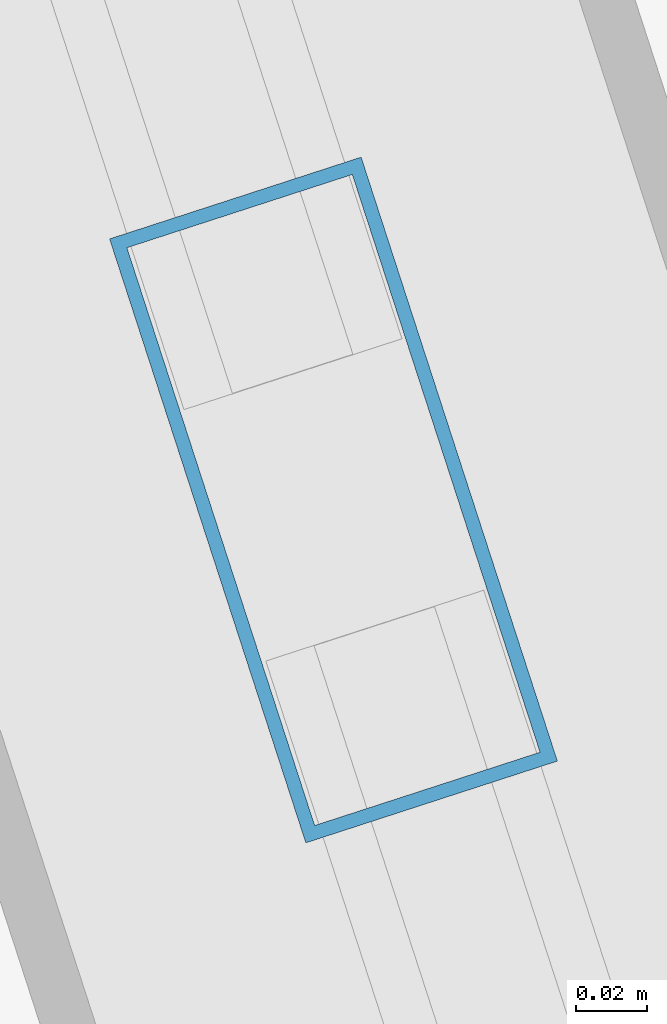
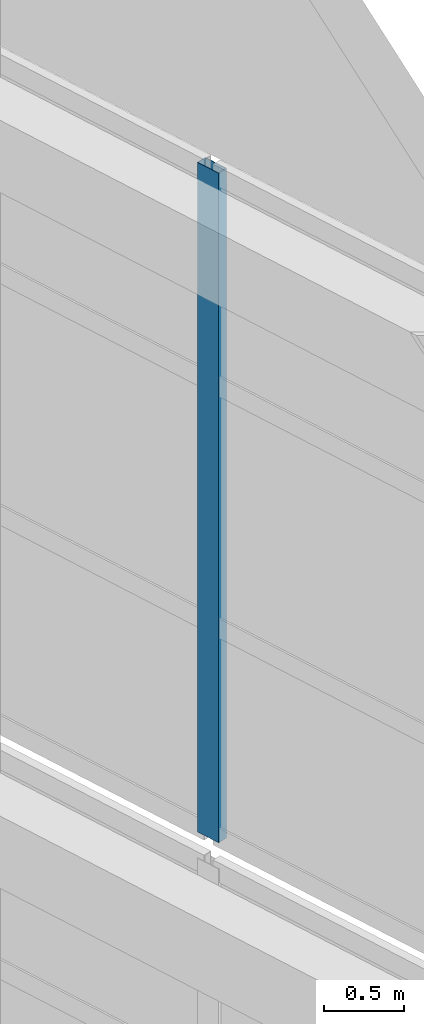
# One storey, part 32 of 56: 1 member, 1 element without a shape of its own.
"""IFC4 building model written with IfcOpenShell, lengths in metres."""

from ifc_helpers import new_model, si_unit, direction, frame, origin, origin_2d, place, context, subcontext, project, spatial, hollow_rectangle, extrude, material, layer, layer_set, material_profile, profile_set, type_object, element, aggregate, save


model = new_model("IFC4")

# Units and contexts
model_context = context("Model", 3, precision=1e-05, world=origin(), true_north=direction((0.0, 1.0)))
body_context = subcontext(model_context, "Body", "Model", "MODEL_VIEW")
ifc_project = project(units=[si_unit("LENGTHUNIT", "METRE"), si_unit("AREAUNIT", "SQUARE_METRE"), si_unit("VOLUMEUNIT", "CUBIC_METRE"), si_unit("PLANEANGLEUNIT", "RADIAN"), si_unit("MASSUNIT", "GRAM", prefix="KILO")], contexts=[model_context])

# Site, building, storey
site_placement = place(None, origin())
site = spatial("IfcSite", under=ifc_project, at=site_placement, CompositionType="ELEMENT")
building_placement = place(site_placement, origin())
building = spatial("IfcBuilding", under=site, at=building_placement, Name="Qiaolan Cultural Towers", CompositionType="ELEMENT")
storey_placement = place(building_placement, frame((0.0, 0.0, 250.39990234375)))
storey = spatial("IfcBuildingStorey", under=building, at=storey_placement, Name="L68", CompositionType="ELEMENT", Elevation=250.39990234375)

# Curtain wall, member
ifc_material_1 = material(Name="Unitized Anodized Aluminium Curtain Wall System", Category="aluminium")
ifc_layer = layer(ifc_material_1, 0.199951171875)
ifc_layer_set = layer_set([ifc_layer], Name="Unitized Anodized Aluminium Curtain Wall System")
curtain_wall_type = type_object("IfcCurtainWallType", Name="CWS-06", PredefinedType="NOTDEFINED", material=ifc_layer_set)
curtain_wall_placement = place(storey_placement, origin())
curtain_wall = element("IfcCurtainWall", 1, at=curtain_wall_placement, inside=storey, type_object=curtain_wall_type, Name="T2 Crown Tier 5 Fritted Screen Curtain Wall 3", PredefinedType="NOTDEFINED")
ifc_material_2 = material(Name="Extruded Aluminium 6063-T6", Category="aluminium")
ifc_material_profile = material_profile(ifc_material_2, hollow_rectangle(XDim=0.074951171875, YDim=0.179931640625, WallThickness=0.00390625, at=origin_2d()), Name="CWM-180x75x4")
ifc_profile_set = profile_set([ifc_material_profile], Name="Extruded Aluminium 6063-T6")
member_type = type_object("IfcMemberType", Name="CWS-06-MUL", PredefinedType="MULLION", material=ifc_profile_set)
member_placement = place(storey_placement, frame((103.765380859375, 36.453857421875, 21.300048828125), z_axis=(0.0, 0.0, 1.0), x_axis=(-0.951056535512, -0.309016935232, 0.0)))
member = element("IfcMember", 2, at=member_placement, type_object=member_type, Name="CW-6 mullion 3", PredefinedType="MULLION", context=body_context, shape_type="SweptSolid", body=[
    extrude(hollow_rectangle(XDim=0.074951171875, YDim=0.179931640625, WallThickness=0.00390625, at=origin_2d()), origin(), (0.0, 0.0, 1.0), 5.10009765625),
])
aggregate(curtain_wall, [member])

save(model, "model.ifc")
